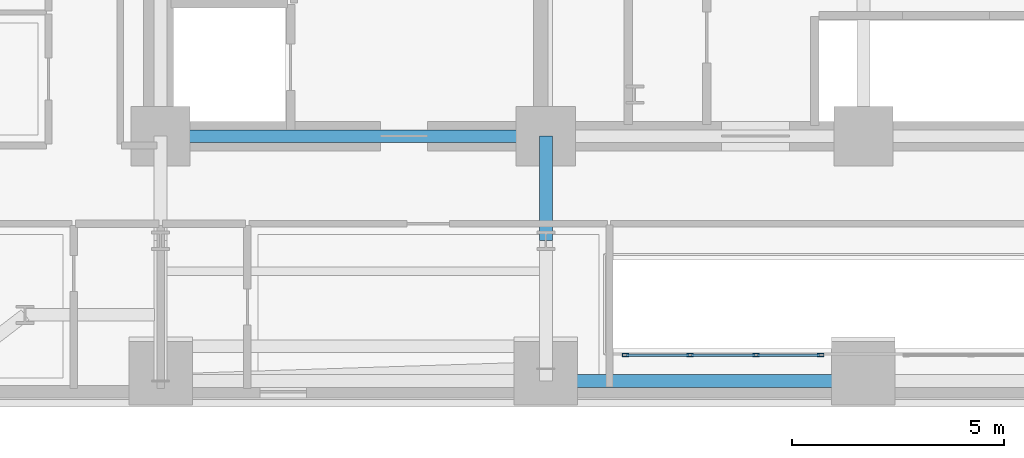
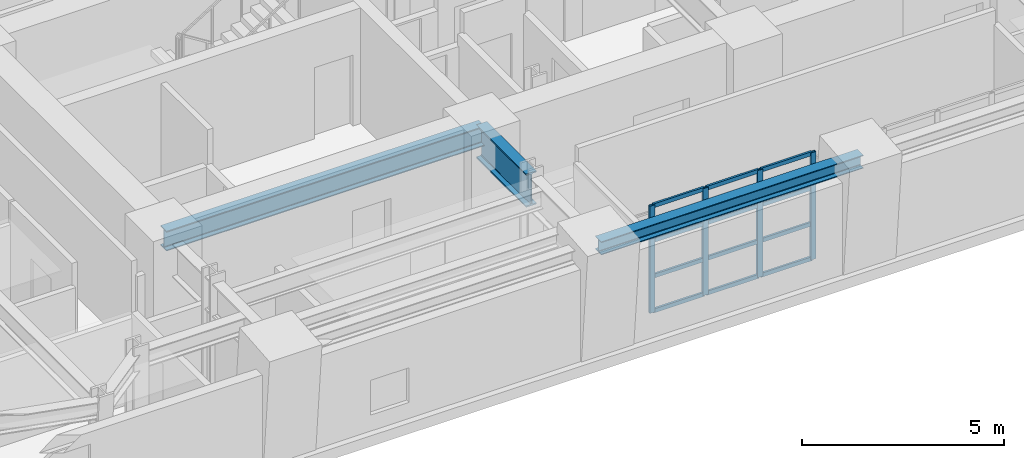
# One storey, part 2 of 15: 16 members, 3 beams, 1 element without a shape of its own.
"""IFC4 building model written with IfcOpenShell, lengths in metres."""

from ifc_helpers import new_model, si_unit, direction, frame, origin, origin_2d, place, context, subcontext, project, spatial, hollow_rectangle, i_section, extrude, material, layer, layer_set, material_profile, profile_set, type_object, element, aggregate, save


model = new_model("IFC4")

# Units and contexts
model_context = context("Model", 3, precision=1e-05, world=origin(), true_north=direction((0.0, 1.0)))
body_context = subcontext(model_context, "Body", "Model", "MODEL_VIEW")
ifc_project = project(units=[si_unit("LENGTHUNIT", "METRE"), si_unit("AREAUNIT", "SQUARE_METRE"), si_unit("VOLUMEUNIT", "CUBIC_METRE"), si_unit("PLANEANGLEUNIT", "RADIAN"), si_unit("MASSUNIT", "GRAM", prefix="KILO")], contexts=[model_context])

# Site, building, storey
site_placement = place(None, origin())
site = spatial("IfcSite", under=ifc_project, at=site_placement, CompositionType="ELEMENT")
building_placement = place(site_placement, origin())
building = spatial("IfcBuilding", under=site, at=building_placement, Name="Zarnavel Station Tower", CompositionType="ELEMENT")
storey_placement = place(building_placement, frame((0.0, 0.0, 43.0)))
storey = spatial("IfcBuildingStorey", under=building, at=storey_placement, Name="L11", CompositionType="ELEMENT", Elevation=43.0)

# Curtain wall, members
ifc_material_1 = material(Name="Aluminium Dark Anodised and Solar-Control Glass", Category="aluminium")
ifc_layer = layer(ifc_material_1, 0.179931640625)
ifc_layer_set = layer_set([ifc_layer], Name="CWS2")
curtain_wall_type = type_object("IfcCurtainWallType", Name="CWS2", PredefinedType="NOTDEFINED", material=ifc_layer_set)
curtain_wall_placement = place(storey_placement, origin())
curtain_wall = element("IfcCurtainWall", 1, at=curtain_wall_placement, inside=storey, type_object=curtain_wall_type, Name="L11 Curtain Wall CWS2-L11-AS-S1", PredefinedType="NOTDEFINED")
ifc_material_2 = material(Name="Steel S355J2 (Black Fluoropolymer Coated)", Category="steel")
ifc_material_profile_1 = material_profile(ifc_material_2, hollow_rectangle(XDim=0.074951171875, YDim=0.14990234375, WallThickness=0.00634765625, at=origin_2d()), Name="RHS150x75x6.3")
ifc_profile_set_1 = profile_set([ifc_material_profile_1], Name="Steel S355J2 (Black Fluoropolymer Coated)")
member_type_1 = type_object("IfcMemberType", Name="CWS2_MUL", PredefinedType="MULLION", material=ifc_profile_set_1)
member_1_placement = place(storey_placement, frame((23.179931640625, 22.64990234375, 0.0), z_axis=(0.0, 0.0, 1.0), x_axis=(0.0, 1.0, 0.0)))
member_1 = element("IfcMember", 2, at=member_1_placement, type_object=member_type_1, Name="CW2 mullion 1", PredefinedType="MULLION", context=body_context, shape_type="SweptSolid", body=[
    extrude(hollow_rectangle(XDim=0.074951171875, YDim=0.14990234375, WallThickness=0.00634765625, at=origin_2d()), origin(), (0.0, 0.0, 1.0), 3.239990234375),
])
member_2_placement = place(storey_placement, frame((24.706787109375, 22.64990234375, 0.0), z_axis=(0.0, 0.0, 1.0), x_axis=(0.0, 1.0, 0.0)))
member_2 = element("IfcMember", 3, at=member_2_placement, type_object=member_type_1, Name="CW2 mullion 2", PredefinedType="MULLION", context=body_context, shape_type="SweptSolid", body=[
    extrude(hollow_rectangle(XDim=0.074951171875, YDim=0.14990234375, WallThickness=0.00634765625, at=origin_2d()), origin(), (0.0, 0.0, 1.0), 3.239990234375),
])
member_3_placement = place(storey_placement, frame((26.263427734375, 22.64990234375, 0.0), z_axis=(0.0, 0.0, 1.0), x_axis=(0.0, 1.0, 0.0)))
member_3 = element("IfcMember", 4, at=member_3_placement, type_object=member_type_1, Name="CW2 mullion 3", PredefinedType="MULLION", context=body_context, shape_type="SweptSolid", body=[
    extrude(hollow_rectangle(XDim=0.074951171875, YDim=0.14990234375, WallThickness=0.00634765625, at=origin_2d()), origin(), (0.0, 0.0, 1.0), 3.239990234375),
])
member_4_placement = place(storey_placement, frame((27.7900390625, 22.64990234375, 0.0), z_axis=(0.0, 0.0, 1.0), x_axis=(0.0, 1.0, 0.0)))
member_4 = element("IfcMember", 5, at=member_4_placement, type_object=member_type_1, Name="CW2 mullion 4", PredefinedType="MULLION", context=body_context, shape_type="SweptSolid", body=[
    extrude(hollow_rectangle(XDim=0.074951171875, YDim=0.14990234375, WallThickness=0.00634765625, at=origin_2d()), origin(), (0.0, 0.0, 1.0), 3.239990234375),
])
ifc_material_3 = material(Name="Steel S355J2 (Black Fluoropolymer Coated)", Category="steel")
ifc_material_profile_2 = material_profile(ifc_material_3, hollow_rectangle(XDim=0.06005859375, YDim=0.1201171875, WallThickness=0.0048828125, at=origin_2d()), Name="RHS120x60x5")
ifc_profile_set_2 = profile_set([ifc_material_profile_2], Name="Steel S355J2 (Black Fluoropolymer Coated)")
member_type_2 = type_object("IfcMemberType", Name="CWS2_TRN", PredefinedType="USERDEFINED", material=ifc_profile_set_2)
member_5_placement = place(storey_placement, frame((23.2099609375, 22.64990234375, 0.030029296875), z_axis=(1.0, 0.0, 0.0), x_axis=(0.0, 1.0, 0.0)))
member_5 = element("IfcMember", 6, at=member_5_placement, type_object=member_type_2, Name="CW2 transom 1.1", ObjectType="TRANSOM", PredefinedType="USERDEFINED", context=body_context, shape_type="SweptSolid", body=[
    extrude(hollow_rectangle(XDim=0.06005859375, YDim=0.1201171875, WallThickness=0.0048828125, at=origin_2d()), origin(), (0.0, 0.0, 1.0), 1.466796875),
])
member_6_placement = place(storey_placement, frame((23.2099609375, 22.64990234375, 1.080078125), z_axis=(1.0, 0.0, 0.0), x_axis=(0.0, 1.0, 0.0)))
member_6 = element("IfcMember", 7, at=member_6_placement, type_object=member_type_2, Name="CW2 transom 1.2", ObjectType="TRANSOM", PredefinedType="USERDEFINED", context=body_context, shape_type="SweptSolid", body=[
    extrude(hollow_rectangle(XDim=0.06005859375, YDim=0.1201171875, WallThickness=0.0048828125, at=origin_2d()), origin(), (0.0, 0.0, 1.0), 1.466796875),
])
member_7_placement = place(storey_placement, frame((23.2099609375, 22.64990234375, 2.159912109375), z_axis=(1.0, 0.0, 0.0), x_axis=(0.0, 1.0, 0.0)))
member_7 = element("IfcMember", 8, at=member_7_placement, type_object=member_type_2, Name="CW2 transom 1.3", ObjectType="TRANSOM", PredefinedType="USERDEFINED", context=body_context, shape_type="SweptSolid", body=[
    extrude(hollow_rectangle(XDim=0.06005859375, YDim=0.1201171875, WallThickness=0.0048828125, at=origin_2d()), origin(), (0.0, 0.0, 1.0), 1.466796875),
])
member_8_placement = place(storey_placement, frame((23.2099609375, 22.64990234375, 3.2099609375), z_axis=(1.0, 0.0, 0.0), x_axis=(0.0, 1.0, 0.0)))
member_8 = element("IfcMember", 9, at=member_8_placement, type_object=member_type_2, Name="CW2 transom 1.4", ObjectType="TRANSOM", PredefinedType="USERDEFINED", context=body_context, shape_type="SweptSolid", body=[
    extrude(hollow_rectangle(XDim=0.06005859375, YDim=0.1201171875, WallThickness=0.0048828125, at=origin_2d()), origin(), (0.0, 0.0, 1.0), 1.466796875),
])
member_9_placement = place(storey_placement, frame((24.736572265625, 22.64990234375, 0.030029296875), z_axis=(1.0, 0.0, 0.0), x_axis=(0.0, 1.0, 0.0)))
member_9 = element("IfcMember", 10, at=member_9_placement, type_object=member_type_2, Name="CW2 transom 2.1", ObjectType="TRANSOM", PredefinedType="USERDEFINED", context=body_context, shape_type="SweptSolid", body=[
    extrude(hollow_rectangle(XDim=0.06005859375, YDim=0.1201171875, WallThickness=0.0048828125, at=origin_2d()), origin(), (0.0, 0.0, 1.0), 1.496826171875),
])
member_10_placement = place(storey_placement, frame((24.736572265625, 22.64990234375, 1.080078125), z_axis=(1.0, 0.0, 0.0), x_axis=(0.0, 1.0, 0.0)))
member_10 = element("IfcMember", 11, at=member_10_placement, type_object=member_type_2, Name="CW2 transom 2.2", ObjectType="TRANSOM", PredefinedType="USERDEFINED", context=body_context, shape_type="SweptSolid", body=[
    extrude(hollow_rectangle(XDim=0.06005859375, YDim=0.1201171875, WallThickness=0.0048828125, at=origin_2d()), origin(), (0.0, 0.0, 1.0), 1.496826171875),
])
member_11_placement = place(storey_placement, frame((24.736572265625, 22.64990234375, 2.159912109375), z_axis=(1.0, 0.0, 0.0), x_axis=(0.0, 1.0, 0.0)))
member_11 = element("IfcMember", 12, at=member_11_placement, type_object=member_type_2, Name="CW2 transom 2.3", ObjectType="TRANSOM", PredefinedType="USERDEFINED", context=body_context, shape_type="SweptSolid", body=[
    extrude(hollow_rectangle(XDim=0.06005859375, YDim=0.1201171875, WallThickness=0.0048828125, at=origin_2d()), origin(), (0.0, 0.0, 1.0), 1.496826171875),
])
member_12_placement = place(storey_placement, frame((24.736572265625, 22.64990234375, 3.2099609375), z_axis=(1.0, 0.0, 0.0), x_axis=(0.0, 1.0, 0.0)))
member_12 = element("IfcMember", 13, at=member_12_placement, type_object=member_type_2, Name="CW2 transom 2.4", ObjectType="TRANSOM", PredefinedType="USERDEFINED", context=body_context, shape_type="SweptSolid", body=[
    extrude(hollow_rectangle(XDim=0.06005859375, YDim=0.1201171875, WallThickness=0.0048828125, at=origin_2d()), origin(), (0.0, 0.0, 1.0), 1.496826171875),
])
member_13_placement = place(storey_placement, frame((26.293212890625, 22.64990234375, 0.030029296875), z_axis=(1.0, 0.0, 0.0), x_axis=(0.0, 1.0, 0.0)))
member_13 = element("IfcMember", 14, at=member_13_placement, type_object=member_type_2, Name="CW2 transom 3.1", ObjectType="TRANSOM", PredefinedType="USERDEFINED", context=body_context, shape_type="SweptSolid", body=[
    extrude(hollow_rectangle(XDim=0.06005859375, YDim=0.1201171875, WallThickness=0.0048828125, at=origin_2d()), origin(), (0.0, 0.0, 1.0), 1.466796875),
])
member_14_placement = place(storey_placement, frame((26.293212890625, 22.64990234375, 1.080078125), z_axis=(1.0, 0.0, 0.0), x_axis=(0.0, 1.0, 0.0)))
member_14 = element("IfcMember", 15, at=member_14_placement, type_object=member_type_2, Name="CW2 transom 3.2", ObjectType="TRANSOM", PredefinedType="USERDEFINED", context=body_context, shape_type="SweptSolid", body=[
    extrude(hollow_rectangle(XDim=0.06005859375, YDim=0.1201171875, WallThickness=0.0048828125, at=origin_2d()), origin(), (0.0, 0.0, 1.0), 1.466796875),
])
member_15_placement = place(storey_placement, frame((26.293212890625, 22.64990234375, 2.159912109375), z_axis=(1.0, 0.0, 0.0), x_axis=(0.0, 1.0, 0.0)))
member_15 = element("IfcMember", 16, at=member_15_placement, type_object=member_type_2, Name="CW2 transom 3.3", ObjectType="TRANSOM", PredefinedType="USERDEFINED", context=body_context, shape_type="SweptSolid", body=[
    extrude(hollow_rectangle(XDim=0.06005859375, YDim=0.1201171875, WallThickness=0.0048828125, at=origin_2d()), origin(), (0.0, 0.0, 1.0), 1.466796875),
])
member_16_placement = place(storey_placement, frame((26.293212890625, 22.64990234375, 3.2099609375), z_axis=(1.0, 0.0, 0.0), x_axis=(0.0, 1.0, 0.0)))
member_16 = element("IfcMember", 17, at=member_16_placement, type_object=member_type_2, Name="CW2 transom 3.4", ObjectType="TRANSOM", PredefinedType="USERDEFINED", context=body_context, shape_type="SweptSolid", body=[
    extrude(hollow_rectangle(XDim=0.06005859375, YDim=0.1201171875, WallThickness=0.0048828125, at=origin_2d()), origin(), (0.0, 0.0, 1.0), 1.466796875),
])
aggregate(curtain_wall, [member_1, member_2, member_3, member_4, member_5, member_6, member_7, member_8, member_9, member_10, member_11, member_12, member_13, member_14, member_15, member_16])

# Beams
ifc_material_4 = material(Name="Steel S355J2", Category="steel")
ifc_material_profile_3 = material_profile(ifc_material_4, i_section(OverallWidth=0.300048828125, OverallDepth=0.39990234375, WebThickness=0.013427734375, FlangeThickness=0.02392578125, FilletRadius=0.027099609375, at=origin_2d()), Name="HEB400")
ifc_profile_set_3 = profile_set([ifc_material_profile_3], Name="Steel S355J2")
beam_type_1 = type_object("IfcBeamType", Name="EB_HEB400", PredefinedType="SPANDREL", material=ifc_profile_set_3)
beam_1_placement = place(storey_placement, frame((21.300048828125, 22.03759765625, 3.0400390625), z_axis=(1.0, 0.0, 0.0), x_axis=(0.0, 1.0, 0.0)))
element("IfcBeam", 18, at=beam_1_placement, inside=storey, type_object=beam_type_1, Name="L11 South Raked Spandrel 2", PredefinedType="SPANDREL", context=body_context, shape_type="SweptSolid", body=[
    extrude(i_section(OverallWidth=0.300048828125, OverallDepth=0.39990234375, WebThickness=0.013427734375, FlangeThickness=0.02392578125, FilletRadius=0.027099609375, at=origin_2d()), origin(), (0.0, 0.0, 1.0), 7.5),
])
ifc_material_5 = material(Name="Steel S355J2", Category="steel")
ifc_material_profile_4 = material_profile(ifc_material_5, i_section(OverallWidth=0.300048828125, OverallDepth=0.60009765625, WebThickness=0.015380859375, FlangeThickness=0.030029296875, FilletRadius=0.027099609375, at=origin_2d()), Name="HEB600")
ifc_profile_set_4 = profile_set([ifc_material_profile_4], Name="Steel S355J2")
beam_type_2 = type_object("IfcBeamType", Name="FG_HEB600", PredefinedType="USERDEFINED", material=ifc_profile_set_4)
beam_2_placement = place(storey_placement, frame((12.199951171875, 27.820068359375, 2.93994140625), z_axis=(1.0, 0.0, 0.0), x_axis=(0.0, 1.0, 0.0)))
element("IfcBeam", 19, at=beam_2_placement, inside=storey, type_object=beam_type_2, Name="L11 Core Front Coupling Beam 1", ObjectType="GIRDER", PredefinedType="USERDEFINED", context=body_context, shape_type="SweptSolid", body=[
    extrude(i_section(OverallWidth=0.300048828125, OverallDepth=0.60009765625, WebThickness=0.015380859375, FlangeThickness=0.030029296875, FilletRadius=0.027099609375, at=origin_2d()), origin(), (0.0, 0.0, 1.0), 9.10009765625),
])
ifc_material_6 = material(Name="Steel S460M", Category="steel")
ifc_material_profile_5 = material_profile(ifc_material_6, i_section(OverallWidth=0.302001953125, OverallDepth=1.008056640625, WebThickness=0.02099609375, FlangeThickness=0.0400390625, FilletRadius=0.030029296875, at=origin_2d()), Name="HEM1000")
ifc_profile_set_5 = profile_set([ifc_material_profile_5], Name="Steel S460M")
beam_type_3 = type_object("IfcBeamType", Name="TG_HEM1000", PredefinedType="USERDEFINED", material=ifc_profile_set_5)
beam_3_placement = place(storey_placement, frame((21.300048828125, 25.35009765625, 2.736083984375), z_axis=(0.0, 1.0, 0.0), x_axis=(-1.0, 0.0, 0.0)))
element("IfcBeam", 20, at=beam_3_placement, inside=storey, type_object=beam_type_3, Name="L11 Inner-Zone NS Girder 2", ObjectType="GIRDER", PredefinedType="USERDEFINED", context=body_context, shape_type="SweptSolid", body=[
    extrude(i_section(OverallWidth=0.302001953125, OverallDepth=1.008056640625, WebThickness=0.02099609375, FlangeThickness=0.0400390625, FilletRadius=0.030029296875, at=origin_2d()), origin(), (0.0, 0.0, 1.0), 2.469970703125),
])

save(model, "model.ifc")
